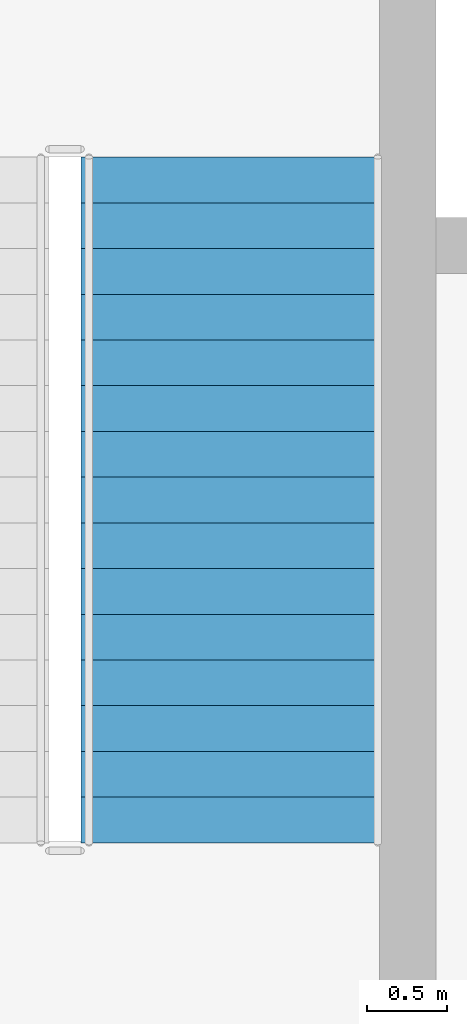
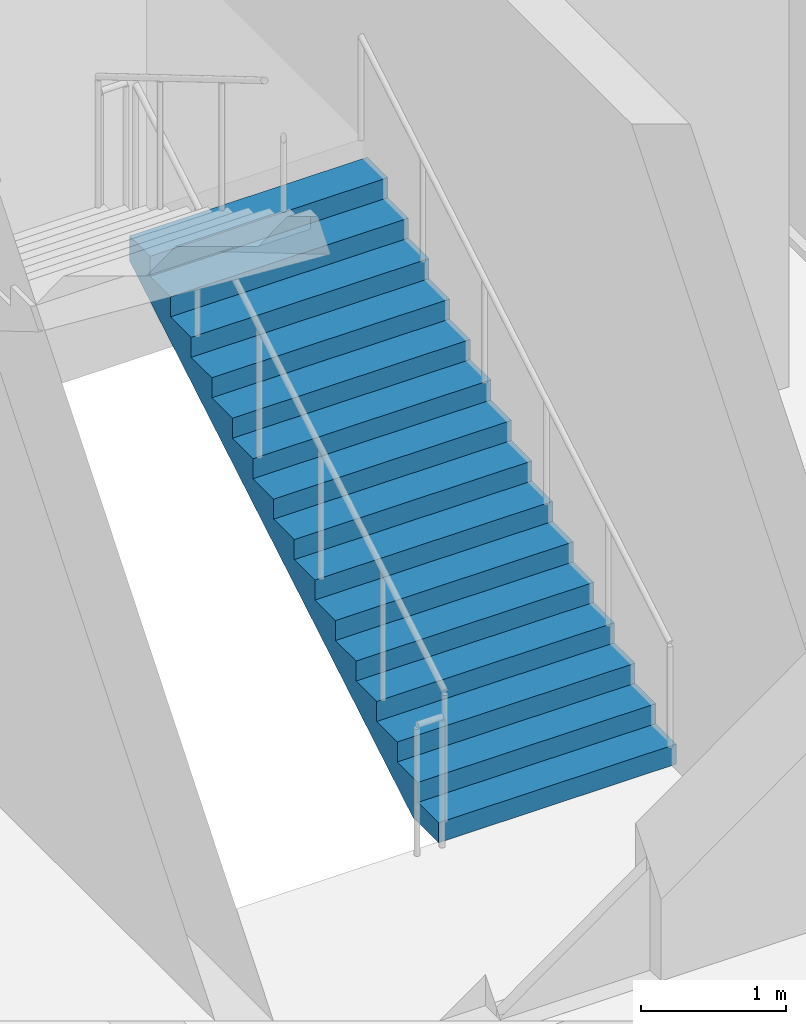
# One storey, part 62 of 83: 1 stair flight, 1 element without a shape of its own.
"""IFC4 building model written with IfcOpenShell, lengths in metres."""

from ifc_helpers import new_model, si_unit, direction, frame, origin, place, context, subcontext, project, spatial, polyline, outline, extrude, material, type_object, element, aggregate, save


model = new_model("IFC4")

# Units and contexts
model_context = context("Model", 3, precision=1e-05, world=origin(), true_north=direction((0.0, 1.0)))
body_context = subcontext(model_context, "Body", "Model", "MODEL_VIEW")
ifc_project = project(units=[si_unit("LENGTHUNIT", "METRE"), si_unit("AREAUNIT", "SQUARE_METRE"), si_unit("VOLUMEUNIT", "CUBIC_METRE"), si_unit("PLANEANGLEUNIT", "RADIAN"), si_unit("MASSUNIT", "GRAM", prefix="KILO")], contexts=[model_context])

# Site, building, storey
site_placement = place(None, origin())
site = spatial("IfcSite", under=ifc_project, at=site_placement, CompositionType="ELEMENT")
building_placement = place(site_placement, origin())
building = spatial("IfcBuilding", under=site, at=building_placement, Name="Shalvenor Court Art Gallery", CompositionType="ELEMENT")
storey_placement = place(building_placement, frame((0.0, 0.0, 6.0)))
storey = spatial("IfcBuildingStorey", under=building, at=storey_placement, Name="L01", CompositionType="ELEMENT", Elevation=6.0)

# Stair, stair flight
ifc_material_1 = material(Name="Concrete C40/50", Category="concrete")
stair_type = type_object("IfcStairType", Name="ST-DL-32R-1900", PredefinedType="HALF_TURN_STAIR", material=ifc_material_1)
stair_placement = place(storey_placement, origin())
stair = element("IfcStair", 1, at=stair_placement, inside=storey, type_object=stair_type, Name="L01 Core Dogleg Stair ST-01", PredefinedType="HALF_TURN_STAIR")
ifc_material_2 = material(Name="Concrete C40/50", Category="concrete")
stair_flight_type = type_object("IfcStairFlightType", Name="FL-DL-16R-1900", PredefinedType="STRAIGHT", material=ifc_material_2)
stair_flight_placement = place(storey_placement, frame((171.550048828125, 81.300048828125, 0.0), z_axis=(0.0, 0.0, 1.0), x_axis=(0.0, 1.0, 0.0)))
stair_flight = element("IfcStairFlight", 2, at=stair_flight_placement, type_object=stair_flight_type, Name="ST-DL-32R-1900 flight 1", NumberOfRisers=16, NumberOfTreads=15, PredefinedType="STRAIGHT", RiserHeight=0.16875, TreadLength=0.285, context=body_context, shape_type="SweptSolid", body=[
    extrude(outline(polyline([(0.0, 0.0), (0.0, 0.168701171875), (0.284912109375, 0.168701171875), (0.284912109375, 0.33740234375), (0.570068359375, 0.33740234375), (0.570068359375, 0.50634765625), (0.85498046875, 0.50634765625), (0.85498046875, 0.675048828125), (1.139892578125, 0.675048828125), (1.139892578125, 0.84375), (1.425048828125, 0.84375), (1.425048828125, 1.012451171875), (1.7099609375, 1.012451171875), (1.7099609375, 1.18115234375), (1.9951171875, 1.18115234375), (1.9951171875, 1.35009765625), (2.280029296875, 1.35009765625), (2.280029296875, 1.518798828125), (2.56494140625, 1.518798828125), (2.56494140625, 1.6875), (2.85009765625, 1.6875), (2.85009765625, 1.856201171875), (3.135009765625, 1.856201171875), (3.135009765625, 2.02490234375), (3.419921875, 2.02490234375), (3.419921875, 2.19384765625), (3.705078125, 2.19384765625), (3.705078125, 2.362548828125), (3.989990234375, 2.362548828125), (3.989990234375, 2.53125), (4.27490234375, 2.53125), (4.27490234375, 2.699951171875), (4.27490234375, 2.322021484375), (0.353271484375, 0.0), (0.0, 0.0)])), frame((0.0, 0.949951171875, 0.0), z_axis=(0.0, -1.0, 0.0), x_axis=(1.0, 0.0, 0.0)), (0.0, 0.0, 1.0), 1.89990234375),
])
aggregate(stair, [stair_flight])

save(model, "model.ifc")
